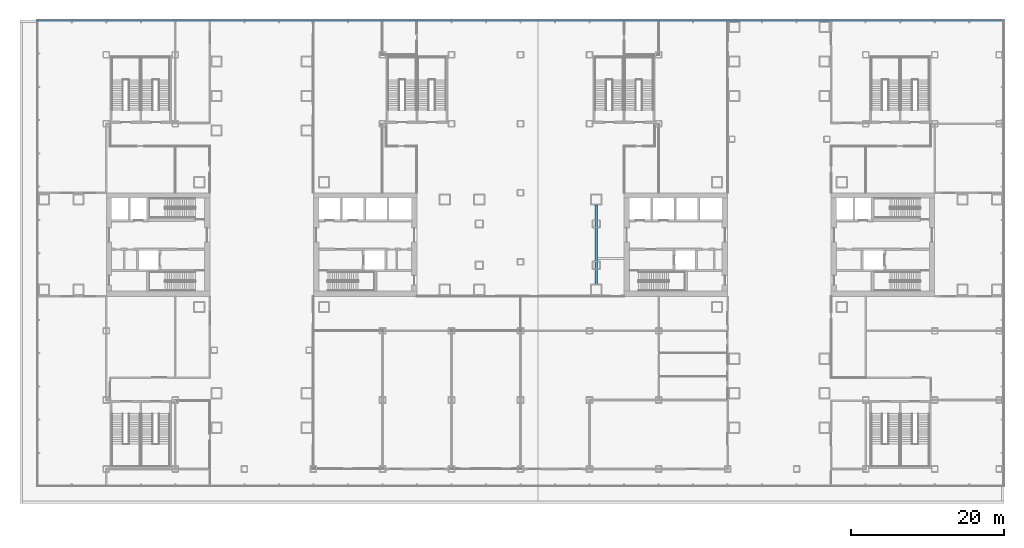
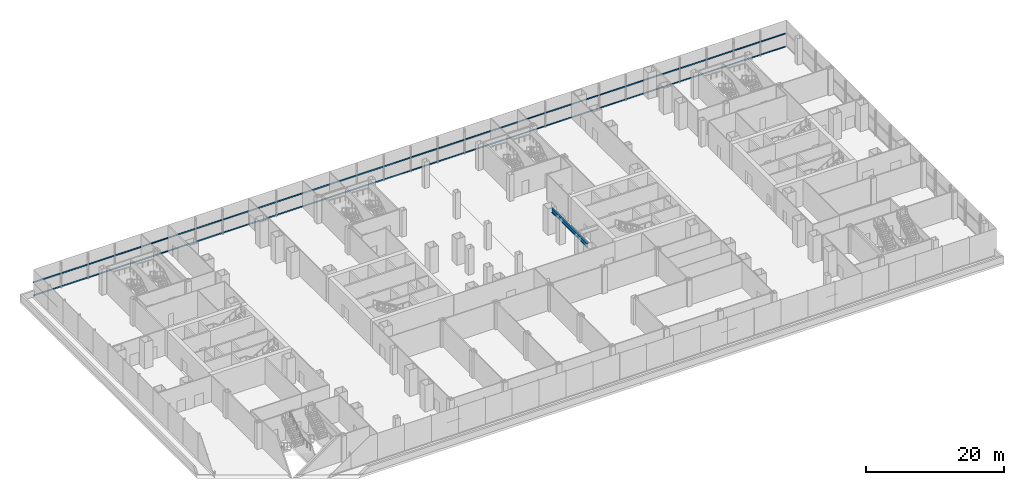
# One storey, part 11 of 30: 2 members, 1 beam, 1 element without a shape of its own.
"""IFC4 building model written with IfcOpenShell, lengths in metres."""

import ifcopenshell
import ifcopenshell.guid

model = None  # the IFC model being written
_history = None  # IfcOwnerHistory: only IFC2X3 demands one
_inside = {}  # id of a spatial element -> (the spatial element, [elements in it])
_under = {}  # id of a project, library or spatial element -> (it, [spatial elements below it])
_declared = {}  # id of a project -> (the project, [libraries it declares])
_typed = {}  # id of a type object -> (the type object, [elements of that type])
_made_of = {}  # id of a material, layer set ... -> (it, [elements and type objects made of it])


def new_model(schema):
    """Start an empty IFC model of exactly this schema.

    Asked for "IFC4X3", IfcOpenShell would pick the latest addendum, in which some entities
    have other attributes; the version numbers below select the first issue.
    IFC2X3 requires an IfcOwnerHistory on every rooted entity: one is made here for all.
    """
    global model, _history
    if schema == "IFC4X3":
        model = ifcopenshell.file(schema_version=(4, 3, 0, 0))
    else:
        model = ifcopenshell.file(schema=schema)
    _inside.clear()
    _under.clear()
    _declared.clear()
    _typed.clear()
    _made_of.clear()
    _history = None
    if model.schema == "IFC2X3":
        org = make("IfcOrganization", Name="unknown")
        user = make(
            "IfcPersonAndOrganization",
            ThePerson=make("IfcPerson", FamilyName="unknown"),
            TheOrganization=org,
        )
        app = make(
            "IfcApplication",
            ApplicationDeveloper=org,
            Version="unknown",
            ApplicationFullName="unknown",
            ApplicationIdentifier="unknown",
        )
        _history = make(
            "IfcOwnerHistory",
            OwningUser=user,
            OwningApplication=app,
            ChangeAction="ADDED",
            CreationDate=0,
        )
    return model


def make(cls, **values):
    """One entity of the class cls with the attributes given. An attribute that is None is left unset."""
    return model.create_entity(
        cls, **{name: value for name, value in values.items() if value is not None}
    )


def rooted(cls, **values):
    """An entity with a GlobalId (a new one), such as an element, a storey or a relation."""
    return make(cls, GlobalId=ifcopenshell.guid.new(), OwnerHistory=_history, **values)


def si_unit(unit_type, name, prefix=None):
    """IfcSIUnit, for example si_unit("LENGTHUNIT", "METRE", prefix="MILLI")."""
    return make("IfcSIUnit", UnitType=unit_type, Prefix=prefix, Name=name)


def assignment(units):
    """IfcUnitAssignment: the units of a project."""
    return None if units is None else make("IfcUnitAssignment", Units=units)


def point(xyz):
    """IfcCartesianPoint."""
    return None if xyz is None else make("IfcCartesianPoint", Coordinates=xyz)


def direction(xyz):
    """IfcDirection."""
    return None if xyz is None else make("IfcDirection", DirectionRatios=xyz)


def frame(location, z_axis=None, x_axis=None):
    """IfcAxis2Placement3D, a coordinate frame: its origin and axes. An axis left out is left unset."""
    return make(
        "IfcAxis2Placement3D",
        Location=point(location),
        Axis=direction(z_axis),
        RefDirection=direction(x_axis),
    )


def frame_2d(location, x_axis=None):
    """IfcAxis2Placement2D, a coordinate frame in the plane: its origin and x axis."""
    return make(
        "IfcAxis2Placement2D", Location=point(location), RefDirection=direction(x_axis)
    )


def origin():
    """The frame at (0, 0, 0) with its axes left unset."""
    return frame((0.0, 0.0, 0.0))


def origin_2d():
    """The frame at (0, 0) in the plane with its x axis left unset."""
    return frame_2d((0.0, 0.0))


def place(relative_to, where):
    """IfcLocalPlacement: puts the frame where relative to a parent placement (None: the world)."""
    return make(
        "IfcLocalPlacement", PlacementRelTo=relative_to, RelativePlacement=where
    )


def context(
    kind, dimensions, precision=None, world=None, true_north=None, identifier=None
):
    """IfcGeometricRepresentationContext, for example the 3D "Model" context."""
    return make(
        "IfcGeometricRepresentationContext",
        ContextIdentifier=identifier,
        ContextType=kind,
        CoordinateSpaceDimension=dimensions,
        Precision=precision,
        WorldCoordinateSystem=world,
        TrueNorth=true_north,
    )


def subcontext(parent, identifier, kind, view, scale=None):
    """IfcGeometricRepresentationSubContext, for example "Body" below "Model"."""
    return make(
        "IfcGeometricRepresentationSubContext",
        ContextIdentifier=identifier,
        ContextType=kind,
        ParentContext=parent,
        TargetScale=scale,
        TargetView=view,
    )


def project(units=None, contexts=None):
    """IfcProject with its units and contexts."""
    return rooted(
        "IfcProject",
        Name="project",
        RepresentationContexts=contexts,
        UnitsInContext=assignment(units),
    )


def spatial(cls, under=None, at=None, **own):
    """A site, building, storey or space (cls), placed at a placement, below another one or the project."""
    s = rooted(cls, ObjectPlacement=at, **own)
    if under is not None:
        _under.setdefault(under.id(), (under, []))[1].append(s)
    return s


def profile(cls, at=None, kind="AREA", **sizes):
    """A parametric profile (cls). Its sizes go by their IFC names, for example OverallWidth=200.0."""
    return make(cls, ProfileType=kind, Position=at, **sizes)


def rectangle(**sizes):
    """IfcRectangleProfileDef."""
    return profile("IfcRectangleProfileDef", **sizes)


def i_section(**sizes):
    """IfcIShapeProfileDef."""
    return profile("IfcIShapeProfileDef", **sizes)


def extrude(swept, where, along, depth):
    """IfcExtrudedAreaSolid: the profile swept, set in the frame where, extruded along a direction by depth."""
    return make(
        "IfcExtrudedAreaSolid",
        SweptArea=swept,
        Position=where,
        ExtrudedDirection=direction(along),
        Depth=depth,
    )


def shape(context_of_items, identifier, shape_type, items):
    """IfcShapeRepresentation: the items that make up one representation, for example the "Body"."""
    return make(
        "IfcShapeRepresentation",
        ContextOfItems=context_of_items,
        RepresentationIdentifier=identifier,
        RepresentationType=shape_type,
        Items=items,
    )


def material(Name=None, Category=None):
    """IfcMaterial."""
    return make("IfcMaterial", Name=Name, Category=Category)


def layer(
    of_material, thickness, ventilated=None, Name=None, Category=None, Priority=None
):
    """IfcMaterialLayer: one layer of a wall or slab, of a material (None: an air gap)."""
    return make(
        "IfcMaterialLayer",
        Material=of_material,
        LayerThickness=thickness,
        IsVentilated=ventilated,
        Name=Name,
        Category=Category,
        Priority=Priority,
    )


def layer_set(layers, Name=None):
    """IfcMaterialLayerSet."""
    return make("IfcMaterialLayerSet", MaterialLayers=layers, LayerSetName=Name)


def material_profile(
    of_material, cross_section, Name=None, Category=None, Priority=None
):
    """IfcMaterialProfile: a cross section and its material."""
    return make(
        "IfcMaterialProfile",
        Name=Name,
        Material=of_material,
        Profile=cross_section,
        Priority=Priority,
        Category=Category,
    )


def profile_set(profiles, Name=None, composite=None):
    """IfcMaterialProfileSet."""
    return make(
        "IfcMaterialProfileSet",
        Name=Name,
        MaterialProfiles=profiles,
        CompositeProfile=composite,
    )


def made_of(thing, what):
    """Note that an element or type object is made of a material, layer set ...; save() writes the relation."""
    if what is not None:
        _made_of.setdefault(what.id(), (what, []))[1].append(thing)
    return thing


def type_object(cls, material=None, **own):
    """A type object (cls), such as IfcWallType, which elements share."""
    return made_of(rooted(cls, **own), material)


def element(
    cls,
    number,
    at=None,
    inside=None,
    cuts=None,
    type_object=None,
    material=None,
    context=None,
    identifier="Body",
    shape_type=None,
    held_by="IfcProductDefinitionShape",
    body=None,
    shapes=None,
    **own,
):
    """One element of the class cls, such as IfcWall. Its Tag is "e" and its number.

    at: its placement. inside: the storey or other place that contains it. cuts: it is an
    opening in that element (IfcRelVoidsElement). A single representation is given by context,
    identifier, shape_type and body (its items); several are given by shapes. held_by: the class
    of the entity that holds the representations. save() writes the other relations.
    """
    e = rooted(cls, Tag="e%d" % number, ObjectPlacement=at, **own)
    if body is not None:
        shapes = [shape(context, identifier, shape_type, body)]
    if shapes is not None:
        e.Representation = make(held_by, Representations=shapes)
    if inside is not None:
        _inside.setdefault(inside.id(), (inside, []))[1].append(e)
    if cuts is not None:
        rooted(
            "IfcRelVoidsElement", RelatingBuildingElement=cuts, RelatedOpeningElement=e
        )
    if type_object is not None:
        _typed.setdefault(type_object.id(), (type_object, []))[1].append(e)
    return made_of(e, material)


def aggregate(whole, parts):
    """IfcRelAggregates: a whole, such as a stair, and the parts it consists of."""
    return rooted("IfcRelAggregates", RelatingObject=whole, RelatedObjects=parts)


def save(model, path):
    """Write the relations noted so far, then the file.

    IfcRelAggregates (storeys below a building ...), IfcRelContainedInSpatialStructure (elements
    in a storey), IfcRelDefinesByType, IfcRelAssociatesMaterial and IfcRelDeclares: one each for
    every whole, place, type object, material and project.
    """
    for whole, parts in _under.values():
        aggregate(whole, parts)
    for where, things in _inside.values():
        rooted(
            "IfcRelContainedInSpatialStructure",
            RelatedElements=things,
            RelatingStructure=where,
        )
    for kind, things in _typed.values():
        rooted("IfcRelDefinesByType", RelatedObjects=things, RelatingType=kind)
    for what, things in _made_of.values():
        rooted("IfcRelAssociatesMaterial", RelatedObjects=things, RelatingMaterial=what)
    for by, libraries in _declared.values():
        rooted("IfcRelDeclares", RelatingContext=by, RelatedDefinitions=libraries)
    model.write(path)


model = new_model("IFC4")

# Units and contexts
model_context = context("Model", 3, precision=1e-05, world=origin(), true_north=direction((0.0, 1.0)))
body_context = subcontext(model_context, "Body", "Model", "MODEL_VIEW")
ifc_project = project(units=[si_unit("LENGTHUNIT", "METRE"), si_unit("AREAUNIT", "SQUARE_METRE"), si_unit("VOLUMEUNIT", "CUBIC_METRE"), si_unit("PLANEANGLEUNIT", "RADIAN"), si_unit("MASSUNIT", "GRAM", prefix="KILO")], contexts=[model_context])

# Site, building, storey
site_placement = place(None, origin())
site = spatial("IfcSite", under=ifc_project, at=site_placement, CompositionType="ELEMENT")
building_placement = place(site_placement, origin())
building = spatial("IfcBuilding", under=site, at=building_placement, Name="Shamsa Quay Exchange Towers", CompositionType="ELEMENT")
storey_placement = place(building_placement, frame((0.0, 0.0, 23.5)))
storey = spatial("IfcBuildingStorey", under=building, at=storey_placement, Name="L04", CompositionType="ELEMENT", Elevation=23.5)

# Curtain wall, members
ifc_material_1 = material(Name="Aluminium EN AW-6063 T6, black anodised", Category="aluminium")
ifc_layer = layer(ifc_material_1, 0.33203125)
ifc_layer_set = layer_set([ifc_layer], Name="CW-3 PODIUM SHOPFRONT GLAZING")
curtain_wall_type = type_object("IfcCurtainWallType", Name="CW-3 PODIUM SHOPFRONT GLAZING", PredefinedType="NOTDEFINED", material=ifc_layer_set)
curtain_wall_placement = place(storey_placement, origin())
curtain_wall = element("IfcCurtainWall", 1, at=curtain_wall_placement, inside=storey, type_object=curtain_wall_type, Name="CW3 PODIUM-L04-F01", PredefinedType="NOTDEFINED")
ifc_material_profile_1 = material_profile(ifc_material_1, rectangle(XDim=0.080078125, YDim=0.159912109375, at=origin_2d()), Name="TR160x80")
ifc_profile_set_1 = profile_set([ifc_material_profile_1], Name="Aluminium EN AW-6063 T6, black anodised")
member_type = type_object("IfcMemberType", Name="CW3 TRANSOM 160x80", PredefinedType="USERDEFINED", material=ifc_profile_set_1)
member_1_placement = place(storey_placement, frame((62.697998046875, 29.2099609375, 0.080078125), z_axis=(-1.0, 0.0, 0.0), x_axis=(0.0, -1.0, 0.0)))
member_1 = element("IfcMember", 2, at=member_1_placement, type_object=member_type, Name="CW3 transom", ObjectType="TRANSOM", PredefinedType="USERDEFINED", context=body_context, shape_type="SweptSolid", body=[
    extrude(rectangle(XDim=0.080078125, YDim=0.159912109375, at=origin_2d()), origin(), (0.0, 0.0, 1.0), 125.697998046875),
])
member_2_placement = place(storey_placement, frame((62.697998046875, 29.2099609375, 2.405029296875), z_axis=(-1.0, 0.0, 0.0), x_axis=(0.0, -1.0, 0.0)))
member_2 = element("IfcMember", 3, at=member_2_placement, type_object=member_type, Name="CW3 transom", ObjectType="TRANSOM", PredefinedType="USERDEFINED", context=body_context, shape_type="SweptSolid", body=[
    extrude(rectangle(XDim=0.080078125, YDim=0.159912109375, at=origin_2d()), origin(), (0.0, 0.0, 1.0), 125.697998046875),
])
aggregate(curtain_wall, [member_1, member_2])

# Beam
ifc_material_2 = material(Name="Steel S355", Category="steel")
ifc_material_profile_2 = material_profile(ifc_material_2, i_section(OverallWidth=0.26611328125, OverallDepth=0.7578125, WebThickness=0.013916015625, FlangeThickness=0.019287109375, at=origin_2d()), Name="W30x108")
ifc_profile_set_2 = profile_set([ifc_material_profile_2], Name="Steel S355")
beam_type = type_object("IfcBeamType", Name="End-zone beam W30x108", PredefinedType="BEAM", material=ifc_profile_set_2)
beam_placement = place(storey_placement, frame((9.875, -5.175048828125, 4.271240234375), z_axis=(0.0, 1.0, 0.0), x_axis=(-1.0, 0.0, 0.0)))
element("IfcBeam", 4, at=beam_placement, inside=storey, type_object=beam_type, Name="End beam T2 V+ end zone L04", PredefinedType="BEAM", context=body_context, shape_type="SweptSolid", body=[
    extrude(i_section(OverallWidth=0.26611328125, OverallDepth=0.7578125, WebThickness=0.013916015625, FlangeThickness=0.019287109375, at=origin_2d()), origin(), (0.0, 0.0, 1.0), 10.35009765625),
])

save(model, "model.ifc")
